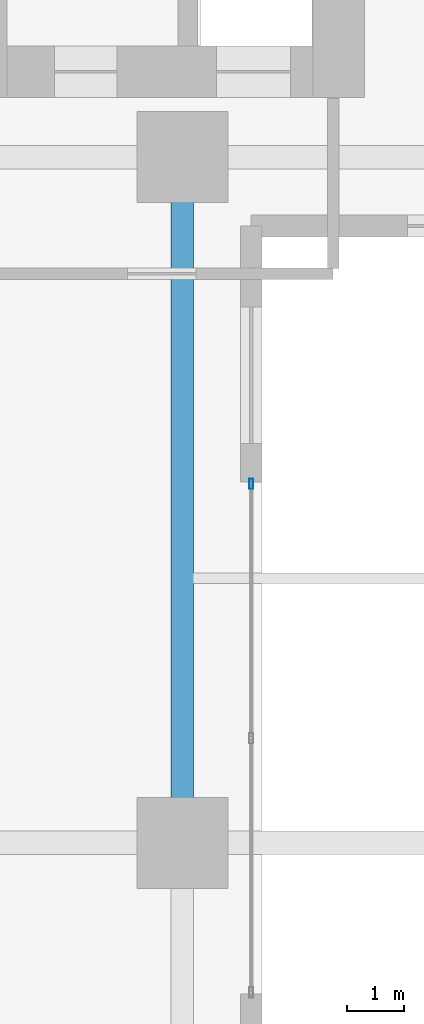
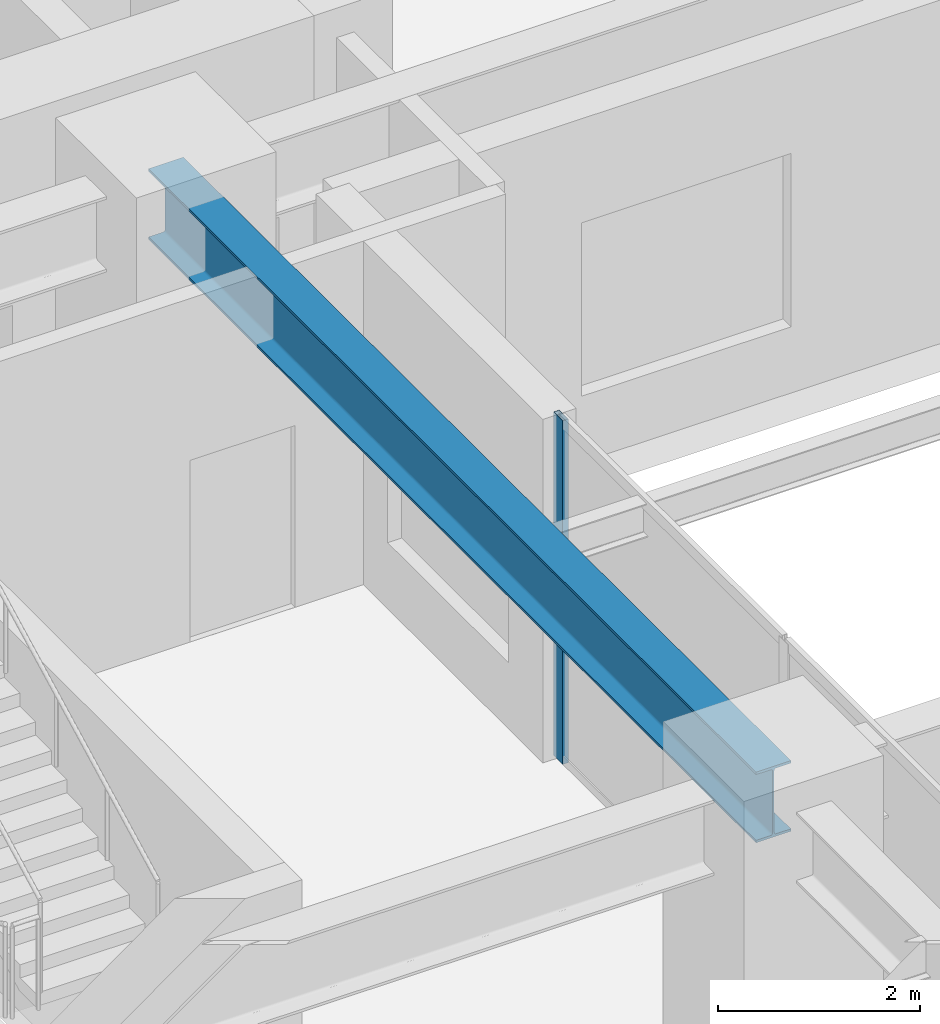
# One storey, part 3 of 26: 1 beam, 1 member, 1 element without a shape of its own.
"""IFC4 building model written with IfcOpenShell, lengths in metres."""

from ifc_helpers import new_model, si_unit, direction, frame, origin, origin_2d, place, context, subcontext, project, spatial, hollow_rectangle, i_section, extrude, source, transform, mapped, material, layer, layer_set, material_profile, profile_set, type_object, element, aggregate, save


model = new_model("IFC4")

# Units and contexts
model_context = context("Model", 3, precision=1e-05, world=origin(), true_north=direction((0.0, 1.0)))
body_context = subcontext(model_context, "Body", "Model", "MODEL_VIEW")
ifc_project = project(units=[si_unit("LENGTHUNIT", "METRE"), si_unit("AREAUNIT", "SQUARE_METRE"), si_unit("VOLUMEUNIT", "CUBIC_METRE"), si_unit("PLANEANGLEUNIT", "RADIAN"), si_unit("MASSUNIT", "GRAM", prefix="KILO")], contexts=[model_context])

# Site, building, storey
site_placement = place(None, origin())
site = spatial("IfcSite", under=ifc_project, at=site_placement, CompositionType="ELEMENT")
building_placement = place(site_placement, origin())
building = spatial("IfcBuilding", under=site, at=building_placement, Name="Khoralis Quay Care Tower", CompositionType="ELEMENT")
storey_placement = place(building_placement, frame((0.0, 0.0, 13.5)))
storey = spatial("IfcBuildingStorey", under=building, at=storey_placement, Name="L03", CompositionType="ELEMENT", Elevation=13.5)

# Beam
ifc_material_1 = material(Name="Steel S355", Category="steel")
ifc_material_profile_1 = material_profile(ifc_material_1, i_section(OverallWidth=0.39990234375, OverallDepth=0.85498046875, WebThickness=0.018310546875, FlangeThickness=0.029296875, FilletRadius=0.02392578125, at=origin_2d()), Name="Steel S355")
ifc_profile_set_1 = profile_set([ifc_material_profile_1], Name="Steel S355")
beam_type = type_object("IfcBeamType", Name="BM-W840X299", PredefinedType="BEAM", material=ifc_profile_set_1)
shared_shape_1 = source(origin(), body_context, "Body", "SweptSolid", [
    extrude(i_section(OverallWidth=0.39990234375, OverallDepth=0.85498046875, WebThickness=0.018310546875, FlangeThickness=0.029296875, FilletRadius=0.02392578125, at=origin_2d()), origin(), (0.0, 0.0, 1.0), 12.0498046875),
])
beam_placement = place(storey_placement, frame((34.60009765625, 1.35009765625, 3.732421875), z_axis=(0.0, 1.0, 0.0), x_axis=(-1.0, 0.0, 0.0)))
element("IfcBeam", 1, at=beam_placement, inside=storey, type_object=beam_type, Name="BM-PODY-L03-38", PredefinedType="BEAM", context=body_context, shape_type="MappedRepresentation", body=[
    mapped(shared_shape_1, transform((0.0, 0.0, 0.0), scale=1.0)),
])

# Curtain wall, member
ifc_material_2 = material(Name="Pale anodised aluminium", Category="aluminium")
ifc_layer = layer(ifc_material_2, 0.179931640625)
ifc_layer_set = layer_set([ifc_layer], Name="Pale anodised aluminium")
curtain_wall_type = type_object("IfcCurtainWallType", Name="CW-SYS-Z1", PredefinedType="NOTDEFINED", material=ifc_layer_set)
curtain_wall_placement = place(storey_placement, origin())
curtain_wall = element("IfcCurtainWall", 2, at=curtain_wall_placement, inside=storey, type_object=curtain_wall_type, Name="L03 Unitised Curtain Wall CW-POD-L03-E1", PredefinedType="NOTDEFINED")
ifc_material_profile_2 = material_profile(ifc_material_2, hollow_rectangle(XDim=0.06494140625, YDim=0.179931640625, WallThickness=0.00390625, at=origin_2d()), Name="Pale anodised aluminium")
ifc_profile_set_2 = profile_set([ifc_material_profile_2], Name="Pale anodised aluminium")
member_type = type_object("IfcMemberType", Name="CW-MUL-180", PredefinedType="MULLION", material=ifc_profile_set_2)
shared_shape_2 = source(origin(), body_context, "Body", "SweptSolid", [
    extrude(hollow_rectangle(XDim=0.06494140625, YDim=0.179931640625, WallThickness=0.00390625, at=origin_2d()), origin(), (0.0, 0.0, 1.0), 4.159912109375),
])
member_placement = place(storey_placement, frame((35.81005859375, 7.659912109375, 0.0), z_axis=(0.0, 0.0, 1.0), x_axis=(-1.0, 0.0, 0.0)))
member = element("IfcMember", 3, at=member_placement, type_object=member_type, Name="CW1 mullion 3", PredefinedType="MULLION", context=body_context, shape_type="MappedRepresentation", body=[
    mapped(shared_shape_2, transform((0.0, 0.0, 0.0), scale=1.0)),
])
aggregate(curtain_wall, [member])

save(model, "model.ifc")
